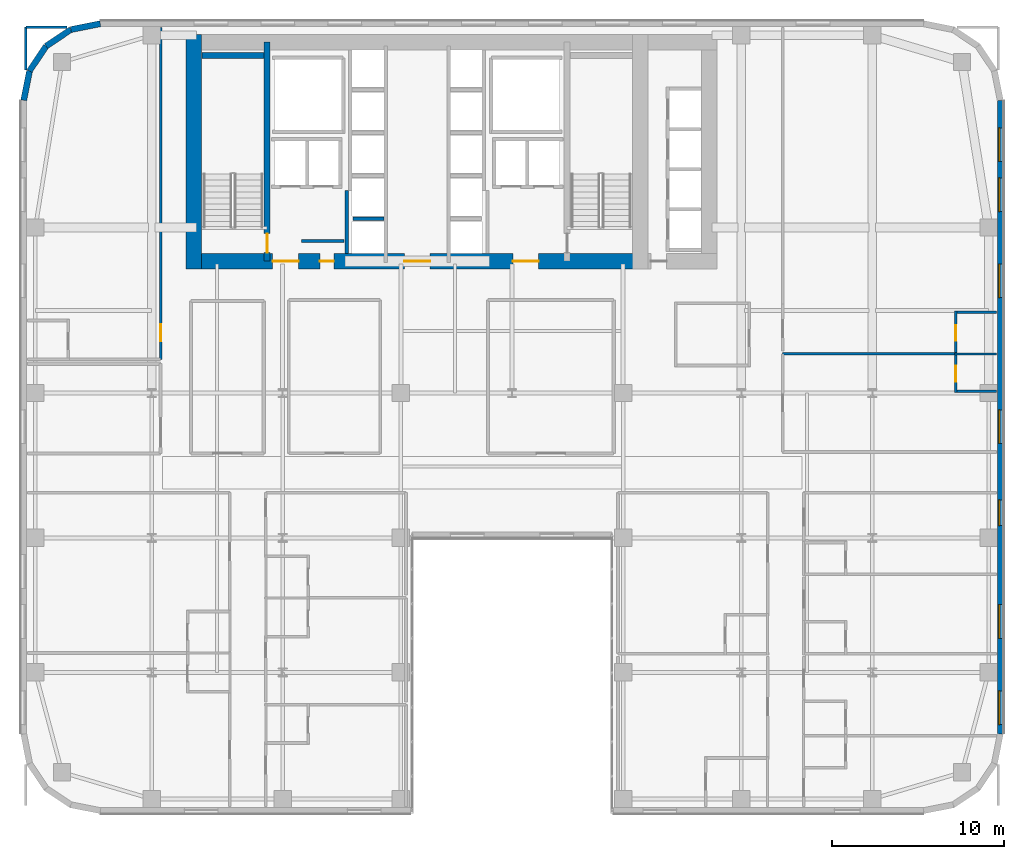
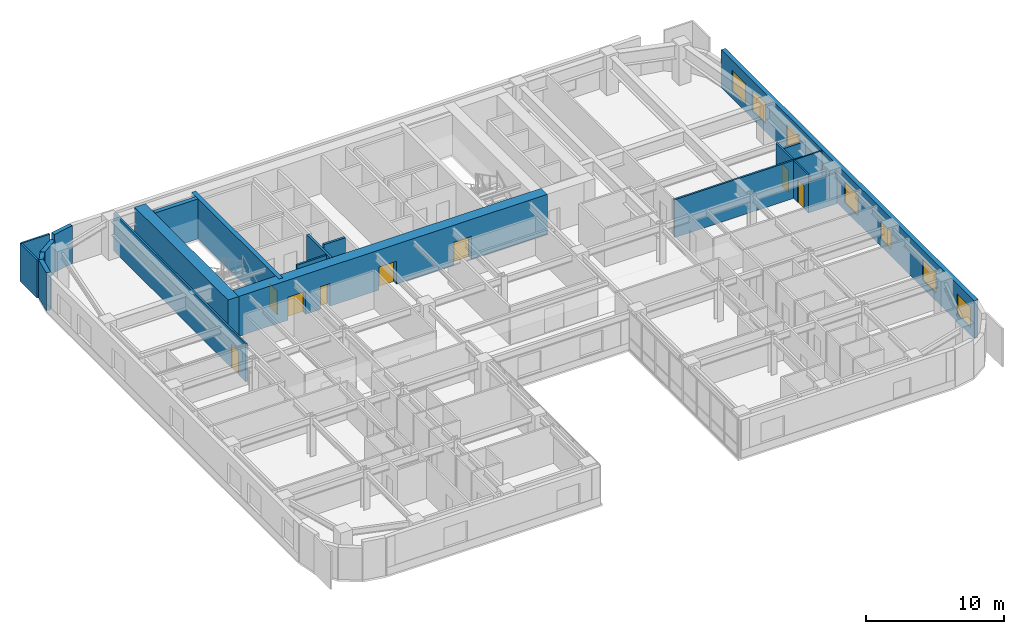
# One storey, part 17 of 24: 21 walls, 8 doors, 7 windows, 15 openings.
"""IFC4 building model written with IfcOpenShell, lengths in metres."""

from ifc_helpers import new_model, si_unit, direction, frame, frame_2d, origin, place, context, subcontext, project, spatial, rectangle, extrude, source, transform, mapped, material, layer, layer_set, type_object, type_shapes, element, fill, save


model = new_model("IFC4")

# Units and contexts
model_context = context("Model", 3, precision=1e-05, world=origin(), true_north=direction((0.0, 1.0)))
body_context = subcontext(model_context, "Body", "Model", "MODEL_VIEW")
ifc_project = project(units=[si_unit("LENGTHUNIT", "METRE"), si_unit("AREAUNIT", "SQUARE_METRE"), si_unit("VOLUMEUNIT", "CUBIC_METRE"), si_unit("PLANEANGLEUNIT", "RADIAN"), si_unit("MASSUNIT", "GRAM", prefix="KILO")], contexts=[model_context])

# Site, building, storey
site_placement = place(None, origin())
site = spatial("IfcSite", under=ifc_project, at=site_placement, CompositionType="ELEMENT")
building_placement = place(site_placement, origin())
building = spatial("IfcBuilding", under=site, at=building_placement, Name="Tolvann Quenvar Hotel", CompositionType="ELEMENT")
storey_placement = place(building_placement, frame((0.0, 0.0, 67.5)))
storey = spatial("IfcBuildingStorey", under=building, at=storey_placement, Name="L16", CompositionType="ELEMENT", Elevation=67.5)

# Wall, openings, doors
ifc_material_1 = material(Name="Concrete S80 (80 MPa)", Category="concrete")
ifc_layer_1 = layer(ifc_material_1, 0.89990234375)
ifc_layer_set_1 = layer_set([ifc_layer_1], Name="Concrete S80 (80 MPa)")
wall_type_1 = type_object("IfcWallType", Name="WALL_CORE_900", PredefinedType="SHEAR", material=ifc_layer_set_1)
wall_1_placement = place(storey_placement, frame((9.60009765625, 32.050048828125, 0.0), z_axis=(0.0, 0.0, 1.0), x_axis=(1.0, 0.0, 0.0)))
wall_1 = element("IfcWall", 1, at=wall_1_placement, inside=storey, type_object=wall_type_1, Name="Rear Core S Shear Wall (L16)", PredefinedType="SHEAR", context=body_context, shape_type="SweptSolid", body=[
    extrude(rectangle(XDim=26.7998046875, YDim=0.89990234375, at=frame_2d((13.39990234375, 0.0))), origin(), (0.0, 0.0, 1.0), 3.550048828125),
])
opening_1_placement = place(wall_1_placement, frame((6.52001953125, 0.0, 0.0), z_axis=(0.0, 0.0, 1.0), x_axis=(-1.0, 0.0, 0.0)))
opening_1 = element("IfcOpeningElement", 2, at=opening_1_placement, cuts=wall_1, Name="Opening FD-60D", PredefinedType="OPENING", context=body_context, shape_type="SweptSolid", body=[
    extrude(rectangle(XDim=1.5, YDim=2.0400390625, at=frame_2d((0.75, 1.02001953125))), frame((0.0, 0.4599609375, 0.0), z_axis=(0.0, -1.0, 0.0), x_axis=(1.0, 0.0, 0.0)), (0.0, 0.0, 1.0), 0.919921875),
])
opening_2_placement = place(wall_1_placement, frame((14.14990234375, 0.0, 0.0), z_axis=(0.0, 0.0, 1.0), x_axis=(-1.0, 0.0, 0.0)))
opening_2 = element("IfcOpeningElement", 3, at=opening_2_placement, cuts=wall_1, Name="Opening FD-60D", PredefinedType="OPENING", context=body_context, shape_type="SweptSolid", body=[
    extrude(rectangle(XDim=1.5, YDim=2.0400390625, at=frame_2d((0.75, 1.02001953125))), frame((0.0, 0.4599609375, 0.0), z_axis=(0.0, -1.0, 0.0), x_axis=(1.0, 0.0, 0.0)), (0.0, 0.0, 1.0), 0.919921875),
])
opening_3_placement = place(wall_1_placement, frame((20.449951171875, 0.0, 0.0), z_axis=(0.0, 0.0, 1.0), x_axis=(-1.0, 0.0, 0.0)))
opening_3 = element("IfcOpeningElement", 4, at=opening_3_placement, cuts=wall_1, Name="Opening FD-60D", PredefinedType="OPENING", context=body_context, shape_type="SweptSolid", body=[
    extrude(rectangle(XDim=1.5, YDim=2.0400390625, at=frame_2d((0.75, 1.02001953125))), frame((0.0, 0.4599609375, 0.0), z_axis=(0.0, -1.0, 0.0), x_axis=(1.0, 0.0, 0.0)), (0.0, 0.0, 1.0), 0.919921875),
])
opening_4_placement = place(wall_1_placement, frame((8.570068359375, 0.0, 0.0), z_axis=(0.0, 0.0, 1.0), x_axis=(-1.0, 0.0, 0.0)))
opening_4 = element("IfcOpeningElement", 5, at=opening_4_placement, cuts=wall_1, Name="Opening HD-02", PredefinedType="OPENING", context=body_context, shape_type="SweptSolid", body=[
    extrude(rectangle(XDim=0.820068359375, YDim=2.010009765625, at=frame_2d((0.41015625, 1.0048828125))), frame((0.0, 0.4599609375, 0.0), z_axis=(0.0, -1.0, 0.0), x_axis=(1.0, 0.0, 0.0)), (0.0, 0.0, 1.0), 0.919921875),
])
ifc_material_2 = material(Name="Solid-core American oak acoustic fire door leaf in steel frame", Category="steel")
door_type_1 = type_object("IfcDoorType", Name="DOOR_FIRE_LOBBY_1500", OperationType="NOTDEFINED", PredefinedType="DOOR", material=ifc_material_2)
shared_shape_1 = source(origin(), body_context, "Body", "SweptSolid", [
    extrude(rectangle(XDim=1.5, YDim=2.0400390625, at=frame_2d((0.75, 1.02001953125))), frame((0.0, 0.02490234375, 0.0), z_axis=(0.0, -1.0, 0.0), x_axis=(1.0, 0.0, 0.0)), (0.0, 0.0, 1.0), 0.050048828125),
])
type_shapes(door_type_1, [shared_shape_1])
door_1_placement = place(opening_1_placement, origin())
door_1 = element("IfcDoor", 6, at=door_1_placement, inside=storey, type_object=door_type_1, Name="Core Lobby Fire Door FFW (L16)", OperationType="DOUBLE_DOOR_SINGLE_SWING", OverallHeight=2.0400390625, OverallWidth=1.5, PredefinedType="DOOR", context=body_context, shape_type="MappedRepresentation", body=[
    mapped(shared_shape_1, transform((0.0, 0.0, 0.0), x_axis=(1.0, 0.0, 0.0), y_axis=(0.0, 1.0, 0.0), z_axis=(0.0, 0.0, 1.0), scale=1.0)),
])
fill(opening_1, door_1)
door_2_placement = place(opening_2_placement, origin())
door_2 = element("IfcDoor", 7, at=door_2_placement, inside=storey, type_object=door_type_1, Name="Core Lobby Fire Door CLOB (L16)", OperationType="DOUBLE_DOOR_SINGLE_SWING", OverallHeight=2.0400390625, OverallWidth=1.5, PredefinedType="DOOR", context=body_context, shape_type="MappedRepresentation", body=[
    mapped(shared_shape_1, transform((0.0, 0.0, 0.0), x_axis=(1.0, 0.0, 0.0), y_axis=(0.0, 1.0, 0.0), z_axis=(0.0, 0.0, 1.0), scale=1.0)),
])
fill(opening_2, door_2)
door_3_placement = place(opening_3_placement, origin())
door_3 = element("IfcDoor", 8, at=door_3_placement, inside=storey, type_object=door_type_1, Name="Core Lobby Fire Door FFE (L16)", OperationType="DOUBLE_DOOR_SINGLE_SWING", OverallHeight=2.0400390625, OverallWidth=1.5, PredefinedType="DOOR", context=body_context, shape_type="MappedRepresentation", body=[
    mapped(shared_shape_1, transform((0.0, 0.0, 0.0), x_axis=(1.0, 0.0, 0.0), y_axis=(0.0, 1.0, 0.0), z_axis=(0.0, 0.0, 1.0), scale=1.0)),
])
fill(opening_3, door_3)
ifc_material_3 = material(Name="Pressed galvanised steel fire-rated door set", Category="steel")
door_type_2 = type_object("IfcDoorType", Name="DOOR_STORE_820", OperationType="NOTDEFINED", PredefinedType="DOOR", material=ifc_material_3)
shared_shape_2 = source(origin(), body_context, "Body", "SweptSolid", [
    extrude(rectangle(XDim=0.820068359375, YDim=2.010009765625, at=frame_2d((0.41015625, 1.0048828125))), frame((0.0, 0.02490234375, 0.0), z_axis=(0.0, -1.0, 0.0), x_axis=(1.0, 0.0, 0.0)), (0.0, 0.0, 1.0), 0.050048828125),
])
type_shapes(door_type_2, [shared_shape_2])
door_4_placement = place(opening_4_placement, origin())
door_4 = element("IfcDoor", 9, at=door_4_placement, inside=storey, type_object=door_type_2, Name="Core Linen Store Fire Door (L16)", OperationType="SINGLE_SWING_RIGHT", OverallHeight=2.010009765625, OverallWidth=0.820068359375, PredefinedType="DOOR", context=body_context, shape_type="MappedRepresentation", body=[
    mapped(shared_shape_2, transform((0.0, 0.0, 0.0), x_axis=(1.0, 0.0, 0.0), y_axis=(0.0, 1.0, 0.0), z_axis=(0.0, 0.0, 1.0), scale=1.0)),
])
fill(opening_4, door_4)

# Wall
wall_2_placement = place(storey_placement, frame((10.050048828125, 31.60009765625, 0.0), z_axis=(0.0, 0.0, 1.0), x_axis=(0.0, 1.0, 0.0)))
element("IfcWall", 10, at=wall_2_placement, inside=storey, type_object=wall_type_1, Name="Rear Core W Shear Wall (L16)", PredefinedType="SHEAR", context=body_context, shape_type="SweptSolid", body=[
    extrude(rectangle(XDim=13.599853515625, YDim=0.89990234375, at=frame_2d((6.7998046875, 0.0))), origin(), (0.0, 0.0, 1.0), 3.550048828125),
])

# Wall, opening, door
ifc_material_4 = material(Name="Concrete S65 (65 MPa)", Category="concrete")
ifc_layer_2 = layer(ifc_material_4, 0.35009765625)
ifc_layer_set_2 = layer_set([ifc_layer_2], Name="Concrete S65 (65 MPa)")
wall_type_2 = type_object("IfcWallType", Name="WALL_CORE_INT_350", PredefinedType="SHEAR", material=ifc_layer_set_2)
wall_3_placement = place(storey_placement, frame((14.300048828125, 32.050048828125, 0.0), z_axis=(0.0, 0.0, 1.0), x_axis=(0.0, 1.0, 0.0)))
wall_3 = element("IfcWall", 11, at=wall_3_placement, inside=storey, type_object=wall_type_2, Name="Core Internal Web Shear Wall WEB-W (L16)", PredefinedType="SHEAR", context=body_context, shape_type="SweptSolid", body=[
    extrude(rectangle(XDim=12.699951171875, YDim=0.35009765625, at=frame_2d((6.35009765625, 0.0))), origin(), (0.0, 0.0, 1.0), 3.550048828125),
])
opening_5_placement = place(wall_3_placement, frame((0.5, 0.0, 0.0)))
opening_5 = element("IfcOpeningElement", 12, at=opening_5_placement, cuts=wall_3, Name="Opening FD-120", PredefinedType="OPENING", context=body_context, shape_type="SweptSolid", body=[
    extrude(rectangle(XDim=1.10009765625, YDim=2.1201171875, at=frame_2d((0.550048828125, 1.06005859375))), frame((0.0, 0.18505859375, 0.0), z_axis=(0.0, -1.0, 0.0), x_axis=(1.0, 0.0, 0.0)), (0.0, 0.0, 1.0), 0.3701171875),
])
door_type_3 = type_object("IfcDoorType", Name="DOOR_FIRE_STAIR_1100", OperationType="NOTDEFINED", PredefinedType="DOOR", material=ifc_material_3)
shared_shape_3 = source(origin(), body_context, "Body", "SweptSolid", [
    extrude(rectangle(XDim=1.10009765625, YDim=2.1201171875, at=frame_2d((0.550048828125, 1.06005859375))), frame((0.0, 0.02490234375, 0.0), z_axis=(0.0, -1.0, 0.0), x_axis=(1.0, 0.0, 0.0)), (0.0, 0.0, 1.0), 0.050048828125),
])
type_shapes(door_type_3, [shared_shape_3])
door_5_placement = place(opening_5_placement, origin())
door_5 = element("IfcDoor", 13, at=door_5_placement, inside=storey, type_object=door_type_3, Name="Exit Stair ST-C1 Fire Door (L16)", OperationType="SINGLE_SWING_RIGHT", OverallHeight=2.1201171875, OverallWidth=1.10009765625, PredefinedType="DOOR", context=body_context, shape_type="MappedRepresentation", body=[
    mapped(shared_shape_3, transform((0.0, 0.0, 0.0), x_axis=(1.0, 0.0, 0.0), y_axis=(0.0, 1.0, 0.0), z_axis=(0.0, 0.0, 1.0), scale=1.0)),
])
fill(opening_5, door_5)

# Wall
wall_4_placement = place(storey_placement, frame((10.52001953125, 43.97509765625, 0.0), z_axis=(0.0, 0.0, 1.0), x_axis=(1.0, 0.0, 0.0)))
element("IfcWall", 14, at=wall_4_placement, inside=storey, type_object=wall_type_2, Name="Core Stair North Closing Shear Wall STC1-N (L16)", PredefinedType="SHEAR", context=body_context, shape_type="SweptSolid", body=[
    extrude(rectangle(XDim=3.60009765625, YDim=0.35009765625, at=frame_2d((1.800048828125, 0.0))), origin(), (0.0, 0.0, 1.0), 3.550048828125),
])

# Wall, openings, windows
ifc_material_5 = material(Name="Kiln-fired red and buff architectural clay brickwork and terracotta masonry", Category="masonry")
ifc_layer_3 = layer(ifc_material_5, 0.35009765625)
ifc_layer_set_3 = layer_set([ifc_layer_3], Name="Kiln-fired red and buff architectural clay brickwork and terracotta masonry")
wall_type_3 = type_object("IfcWallType", Name="WALL_EXT_BRICK_350", PredefinedType="SOLIDWALL", material=ifc_layer_set_3)
wall_5_placement = place(storey_placement, frame((56.824951171875, 4.6171875, 0.0), z_axis=(0.0, 0.0, 1.0), x_axis=(0.0, 1.0, 0.0)))
wall_5 = element("IfcWall", 15, at=wall_5_placement, inside=storey, type_object=wall_type_3, Name="Exterior Chicago Brick Wall L16-E13", PredefinedType="SOLIDWALL", context=body_context, shape_type="SweptSolid", body=[
    extrude(rectangle(XDim=36.765625, YDim=0.35009765625, at=frame_2d((18.3828125, 0.0))), origin(), (0.0, 0.0, 1.0), 3.3701171875),
])
opening_6_placement = place(wall_5_placement, frame((0.551025390625, 0.0, 0.679931640625)))
opening_6 = element("IfcOpeningElement", 16, at=opening_6_placement, cuts=wall_5, Name="Opening W-10", PredefinedType="OPENING", context=body_context, shape_type="SweptSolid", body=[
    extrude(rectangle(XDim=1.949951171875, YDim=1.820068359375, at=frame_2d((0.97509765625, 0.91015625))), frame((0.0, 0.18505859375, 0.0), z_axis=(0.0, -1.0, 0.0), x_axis=(1.0, 0.0, 0.0)), (0.0, 0.0, 1.0), 0.3701171875),
])
opening_7_placement = place(wall_5_placement, frame((5.552978515625, 0.0, 0.679931640625)))
opening_7 = element("IfcOpeningElement", 17, at=opening_7_placement, cuts=wall_5, Name="Opening W-10", PredefinedType="OPENING", context=body_context, shape_type="SweptSolid", body=[
    extrude(rectangle(XDim=1.949951171875, YDim=1.820068359375, at=frame_2d((0.97509765625, 0.91015625))), frame((0.0, 0.18505859375, 0.0), z_axis=(0.0, -1.0, 0.0), x_axis=(1.0, 0.0, 0.0)), (0.0, 0.0, 1.0), 0.3701171875),
])
opening_8_placement = place(wall_5_placement, frame((16.85791015625, 0.0, 0.679931640625)))
opening_8 = element("IfcOpeningElement", 18, at=opening_8_placement, cuts=wall_5, Name="Opening W-10", PredefinedType="OPENING", context=body_context, shape_type="SweptSolid", body=[
    extrude(rectangle(XDim=1.949951171875, YDim=1.820068359375, at=frame_2d((0.97509765625, 0.91015625))), frame((0.0, 0.18505859375, 0.0), z_axis=(0.0, -1.0, 0.0), x_axis=(1.0, 0.0, 0.0)), (0.0, 0.0, 1.0), 0.3701171875),
])
opening_9_placement = place(wall_5_placement, frame((25.31103515625, 0.0, 0.679931640625)))
opening_9 = element("IfcOpeningElement", 19, at=opening_9_placement, cuts=wall_5, Name="Opening W-10", PredefinedType="OPENING", context=body_context, shape_type="SweptSolid", body=[
    extrude(rectangle(XDim=1.949951171875, YDim=1.820068359375, at=frame_2d((0.97509765625, 0.91015625))), frame((0.0, 0.18505859375, 0.0), z_axis=(0.0, -1.0, 0.0), x_axis=(1.0, 0.0, 0.0)), (0.0, 0.0, 1.0), 0.3701171875),
])
opening_10_placement = place(wall_5_placement, frame((30.31298828125, 0.0, 0.679931640625)))
opening_10 = element("IfcOpeningElement", 20, at=opening_10_placement, cuts=wall_5, Name="Opening W-10", PredefinedType="OPENING", context=body_context, shape_type="SweptSolid", body=[
    extrude(rectangle(XDim=1.949951171875, YDim=1.820068359375, at=frame_2d((0.97509765625, 0.91015625))), frame((0.0, 0.18505859375, 0.0), z_axis=(0.0, -1.0, 0.0), x_axis=(1.0, 0.0, 0.0)), (0.0, 0.0, 1.0), 0.3701171875),
])
opening_11_placement = place(wall_5_placement, frame((33.215087890625, 0.0, 0.679931640625)))
opening_11 = element("IfcOpeningElement", 21, at=opening_11_placement, cuts=wall_5, Name="Opening W-10", PredefinedType="OPENING", context=body_context, shape_type="SweptSolid", body=[
    extrude(rectangle(XDim=1.949951171875, YDim=1.820068359375, at=frame_2d((0.97509765625, 0.91015625))), frame((0.0, 0.18505859375, 0.0), z_axis=(0.0, -1.0, 0.0), x_axis=(1.0, 0.0, 0.0)), (0.0, 0.0, 1.0), 0.3701171875),
])
opening_12_placement = place(wall_5_placement, frame((12.093017578125, 0.0, 0.6201171875)))
opening_12 = element("IfcOpeningElement", 22, at=opening_12_placement, cuts=wall_5, Name="Opening W-08", PredefinedType="OPENING", context=body_context, shape_type="SweptSolid", body=[
    extrude(rectangle(XDim=1.5, YDim=1.550048828125, at=frame_2d((0.75, 0.77490234375))), frame((0.0, 0.18505859375, 0.0), z_axis=(0.0, -1.0, 0.0), x_axis=(1.0, 0.0, 0.0)), (0.0, 0.0, 1.0), 0.3701171875),
])
ifc_material_6 = material(Name="Thermally broken bronze-anodised aluminium frame with double low-E glazing", Category="aluminium")
window_type_1 = type_object("IfcWindowType", Name="WIN_COR_1500x2050", PartitioningType="SINGLE_PANEL", PredefinedType="WINDOW", material=ifc_material_6)
shared_shape_4 = source(origin(), body_context, "Body", "SweptSolid", [
    extrude(rectangle(XDim=1.5, YDim=1.550048828125, at=frame_2d((0.75, 0.77490234375))), frame((0.0, 0.090087890625, 0.0), z_axis=(0.0, -1.0, 0.0), x_axis=(1.0, 0.0, 0.0)), (0.0, 0.0, 1.0), 0.06005859375),
])
type_shapes(window_type_1, [shared_shape_4])
window_1_placement = place(opening_12_placement, origin())
window_1 = element("IfcWindow", 23, at=window_1_placement, inside=storey, type_object=window_type_1, Name="Chicago Window W-08 (EW-L16-E13-WD07)", OverallHeight=1.550048828125, OverallWidth=1.5, PartitioningType="SINGLE_PANEL", PredefinedType="WINDOW", context=body_context, shape_type="MappedRepresentation", body=[
    mapped(shared_shape_4, transform((0.0, 0.0, 0.0), x_axis=(1.0, 0.0, 0.0), y_axis=(0.0, 1.0, 0.0), z_axis=(0.0, 0.0, 1.0), scale=1.0)),
])
fill(opening_12, window_1)
window_type_2 = type_object("IfcWindowType", Name="WIN_CLB_1950x1850", PartitioningType="DOUBLE_PANEL_VERTICAL", PredefinedType="WINDOW", material=ifc_material_6)
shared_shape_5 = source(origin(), body_context, "Body", "SweptSolid", [
    extrude(rectangle(XDim=1.949951171875, YDim=1.820068359375, at=frame_2d((0.97509765625, 0.91015625))), frame((0.0, 0.090087890625, 0.0), z_axis=(0.0, -1.0, 0.0), x_axis=(1.0, 0.0, 0.0)), (0.0, 0.0, 1.0), 0.06005859375),
])
type_shapes(window_type_2, [shared_shape_5])
window_2_placement = place(opening_6_placement, origin())
window_2 = element("IfcWindow", 24, at=window_2_placement, inside=storey, type_object=window_type_2, Name="Chicago Window W-10 (EW-L16-E13-W01)", OverallHeight=1.820068359375, OverallWidth=1.949951171875, PartitioningType="DOUBLE_PANEL_VERTICAL", PredefinedType="WINDOW", context=body_context, shape_type="MappedRepresentation", body=[
    mapped(shared_shape_5, transform((0.0, 0.0, 0.0), x_axis=(1.0, 0.0, 0.0), y_axis=(0.0, 1.0, 0.0), z_axis=(0.0, 0.0, 1.0), scale=1.0)),
])
fill(opening_6, window_2)
window_3_placement = place(opening_7_placement, origin())
window_3 = element("IfcWindow", 25, at=window_3_placement, inside=storey, type_object=window_type_2, Name="Chicago Window W-10 (EW-L16-E13-W02)", OverallHeight=1.820068359375, OverallWidth=1.949951171875, PartitioningType="DOUBLE_PANEL_VERTICAL", PredefinedType="WINDOW", context=body_context, shape_type="MappedRepresentation", body=[
    mapped(shared_shape_5, transform((0.0, 0.0, 0.0), x_axis=(1.0, 0.0, 0.0), y_axis=(0.0, 1.0, 0.0), z_axis=(0.0, 0.0, 1.0), scale=1.0)),
])
fill(opening_7, window_3)
window_4_placement = place(opening_8_placement, origin())
window_4 = element("IfcWindow", 26, at=window_4_placement, inside=storey, type_object=window_type_2, Name="Chicago Window W-10 (EW-L16-E13-W03)", OverallHeight=1.820068359375, OverallWidth=1.949951171875, PartitioningType="DOUBLE_PANEL_VERTICAL", PredefinedType="WINDOW", context=body_context, shape_type="MappedRepresentation", body=[
    mapped(shared_shape_5, transform((0.0, 0.0, 0.0), x_axis=(1.0, 0.0, 0.0), y_axis=(0.0, 1.0, 0.0), z_axis=(0.0, 0.0, 1.0), scale=1.0)),
])
fill(opening_8, window_4)
window_5_placement = place(opening_9_placement, origin())
window_5 = element("IfcWindow", 27, at=window_5_placement, inside=storey, type_object=window_type_2, Name="Chicago Window W-10 (EW-L16-E13-W04)", OverallHeight=1.820068359375, OverallWidth=1.949951171875, PartitioningType="DOUBLE_PANEL_VERTICAL", PredefinedType="WINDOW", context=body_context, shape_type="MappedRepresentation", body=[
    mapped(shared_shape_5, transform((0.0, 0.0, 0.0), x_axis=(1.0, 0.0, 0.0), y_axis=(0.0, 1.0, 0.0), z_axis=(0.0, 0.0, 1.0), scale=1.0)),
])
fill(opening_9, window_5)
window_6_placement = place(opening_10_placement, origin())
window_6 = element("IfcWindow", 28, at=window_6_placement, inside=storey, type_object=window_type_2, Name="Chicago Window W-10 (EW-L16-E13-W05)", OverallHeight=1.820068359375, OverallWidth=1.949951171875, PartitioningType="DOUBLE_PANEL_VERTICAL", PredefinedType="WINDOW", context=body_context, shape_type="MappedRepresentation", body=[
    mapped(shared_shape_5, transform((0.0, 0.0, 0.0), x_axis=(1.0, 0.0, 0.0), y_axis=(0.0, 1.0, 0.0), z_axis=(0.0, 0.0, 1.0), scale=1.0)),
])
fill(opening_10, window_6)
window_7_placement = place(opening_11_placement, origin())
window_7 = element("IfcWindow", 29, at=window_7_placement, inside=storey, type_object=window_type_2, Name="Chicago Window W-10 (EW-L16-E13-W06)", OverallHeight=1.820068359375, OverallWidth=1.949951171875, PartitioningType="DOUBLE_PANEL_VERTICAL", PredefinedType="WINDOW", context=body_context, shape_type="MappedRepresentation", body=[
    mapped(shared_shape_5, transform((0.0, 0.0, 0.0), x_axis=(1.0, 0.0, 0.0), y_axis=(0.0, 1.0, 0.0), z_axis=(0.0, 0.0, 1.0), scale=1.0)),
])
fill(opening_11, window_7)

# Walls
wall_6_placement = place(storey_placement, frame((4.6171875, 45.824951171875, 0.0), z_axis=(0.0, 0.0, 1.0), x_axis=(-0.980800971659, -0.195011420161, 0.0)))
element("IfcWall", 30, at=wall_6_placement, inside=storey, type_object=wall_type_3, Name="Exterior Chicago Brick Wall L16-E19", PredefinedType="SOLIDWALL", context=body_context, shape_type="SweptSolid", body=[
    extrude(rectangle(XDim=1.74267578125, YDim=0.35009765625, at=frame_2d((0.871337890625, 0.0))), origin(), (0.0, 0.0, 1.0), 3.3701171875),
])
for number, where, z_axis, x_axis, name in (
    (31, (2.907958984375, 45.485107421875, 0.0), (0.0, 0.0, 1.0), (-0.831483840845, -0.55554893791, 0.0), "Exterior Chicago Brick Wall L16-E20"),
    (32, (1.473388671875, 44.526611328125, 0.0), (0.0, 0.0, 1.0), (-0.55554893791, -0.831483840845, 0.0), "Exterior Chicago Brick Wall L16-E21"),
):
    element("IfcWall", number, at=place(storey_placement, frame(where, z_axis=z_axis, x_axis=x_axis)), inside=storey, type_object=wall_type_3, Name=name, PredefinedType="SOLIDWALL", context=body_context, shape_type="SweptSolid", body=[
        extrude(rectangle(XDim=1.725341796875, YDim=0.35009765625, at=frame_2d((0.86279296875, 0.0))), origin(), (0.0, 0.0, 1.0), 2.83203125),
    ])
wall_7_placement = place(storey_placement, frame((0.514892578125, 43.092041015625, 0.0), z_axis=(0.0, 0.0, 1.0), x_axis=(-0.195011420161, -0.980800971659, 0.0)))
element("IfcWall", 33, at=wall_7_placement, inside=storey, type_object=wall_type_3, Name="Exterior Chicago Brick Wall L16-E22", PredefinedType="SOLIDWALL", context=body_context, shape_type="SweptSolid", body=[
    extrude(rectangle(XDim=1.74267578125, YDim=0.35009765625, at=frame_2d((0.871337890625, 0.0))), origin(), (0.0, 0.0, 1.0), 3.3701171875),
])
ifc_material_7 = material(Name="Moisture-resistant acoustic plumbing wall assembly")
ifc_layer_4 = layer(ifc_material_7, 0.1201171875)
ifc_layer_set_4 = layer_set([ifc_layer_4], Name="Moisture-resistant acoustic plumbing wall assembly")
wall_type_4 = type_object("IfcWallType", Name="WALL_PART_BATH_120", PredefinedType="PLUMBINGWALL", material=ifc_layer_set_4)
wall_8_placement = place(storey_placement, frame((54.179931640625, 26.669921875, 0.0), z_axis=(0.0, 0.0, 1.0), x_axis=(1.0, 0.0, 0.0)))
element("IfcWall", 34, at=wall_8_placement, inside=storey, type_object=wall_type_4, Name="Non-Rated Plumbing Partition PT-SPC-L16-ENS-NE01-N", PredefinedType="PLUMBINGWALL", context=body_context, shape_type="SweptSolid", body=[
    extrude(rectangle(XDim=2.4150390625, YDim=0.1201171875, at=frame_2d((1.20751953125, 0.0))), origin(), (0.0, 0.0, 1.0), 3.3701171875),
])

# Wall, opening, door
ifc_material_8 = material(Name="Acoustic twin-stud fire-rated gypsum plasterboard partition")
ifc_layer_5 = layer(ifc_material_8, 0.14990234375)
ifc_layer_set_5 = layer_set([ifc_layer_5], Name="Acoustic twin-stud fire-rated gypsum plasterboard partition")
wall_type_5 = type_object("IfcWallType", Name="WALL_PART_SUITE_150", PredefinedType="PARTITIONING", material=ifc_layer_set_5)
wall_9_placement = place(storey_placement, frame((54.25, 24.43798828125, 0.0), z_axis=(0.0, 0.0, 1.0), x_axis=(0.0, 1.0, 0.0)))
wall_9 = element("IfcWall", 35, at=wall_9_placement, inside=storey, type_object=wall_type_5, Name="Interior Partition PT-SPC-L16-ENS-NE01-ENT", PredefinedType="PARTITIONING", context=body_context, shape_type="SweptSolid", body=[
    extrude(rectangle(XDim=2.302001953125, YDim=0.14990234375, at=frame_2d((1.15087890625, 0.0))), origin(), (0.0, 0.0, 1.0), 3.3701171875),
])
opening_13_placement = place(wall_9_placement, frame((0.62109375, 0.0, 0.0)))
opening_13 = element("IfcOpeningElement", 36, at=opening_13_placement, cuts=wall_9, Name="Opening WD-01", PredefinedType="OPENING", context=body_context, shape_type="SweptSolid", body=[
    extrude(rectangle(XDim=0.919921875, YDim=2.010009765625, at=frame_2d((0.4599609375, 1.0048828125))), frame((0.0, 0.0849609375, 0.0), z_axis=(0.0, -1.0, 0.0), x_axis=(1.0, 0.0, 0.0)), (0.0, 0.0, 1.0), 0.169921875),
])
door_type_4 = type_object("IfcDoorType", Name="DOOR_WC_920", OperationType="NOTDEFINED", PredefinedType="DOOR", material=ifc_material_2)
shared_shape_6 = source(origin(), body_context, "Body", "SweptSolid", [
    extrude(rectangle(XDim=0.919921875, YDim=2.010009765625, at=frame_2d((0.4599609375, 1.0048828125))), frame((0.0, 0.02490234375, 0.0), z_axis=(0.0, -1.0, 0.0), x_axis=(1.0, 0.0, 0.0)), (0.0, 0.0, 1.0), 0.050048828125),
])
type_shapes(door_type_4, [shared_shape_6])
door_6_placement = place(opening_13_placement, origin())
door_6 = element("IfcDoor", 37, at=door_6_placement, inside=storey, type_object=door_type_4, Name="Interior Door DOOR-SPC-L16-ENS-NE01", OperationType="SINGLE_SWING_RIGHT", OverallHeight=2.010009765625, OverallWidth=0.919921875, PredefinedType="DOOR", context=body_context, shape_type="MappedRepresentation", body=[
    mapped(shared_shape_6, transform((0.0, 0.0, 0.0), x_axis=(1.0, 0.0, 0.0), y_axis=(0.0, 1.0, 0.0), z_axis=(0.0, 0.0, 1.0), scale=1.0)),
])
fill(opening_13, door_6)

# Wall
wall_10_placement = place(storey_placement, frame((54.179931640625, 24.508056640625, 0.0), z_axis=(0.0, 0.0, 1.0), x_axis=(1.0, 0.0, 0.0)))
element("IfcWall", 38, at=wall_10_placement, inside=storey, type_object=wall_type_5, Name="Interior Partition PT-SPC-L16-ENS-NE01-S", PredefinedType="PARTITIONING", context=body_context, shape_type="SweptSolid", body=[
    extrude(rectangle(XDim=2.4150390625, YDim=0.14990234375, at=frame_2d((1.20751953125, 0.0))), origin(), (0.0, 0.0, 1.0), 2.748046875),
])

# Wall, opening, door
wall_11_placement = place(storey_placement, frame((54.25, 26.760009765625, 0.0), z_axis=(0.0, 0.0, 1.0), x_axis=(0.0, 1.0, 0.0)))
wall_11 = element("IfcWall", 39, at=wall_11_placement, inside=storey, type_object=wall_type_5, Name="Interior Partition PT-SPC-L16-ENS-NE02-ENT", PredefinedType="PARTITIONING", context=body_context, shape_type="SweptSolid", body=[
    extrude(rectangle(XDim=2.389892578125, YDim=0.14990234375, at=frame_2d((1.19482421875, 0.0))), origin(), (0.0, 0.0, 1.0), 3.3701171875),
])
opening_14_placement = place(wall_11_placement, frame((0.6650390625, 0.0, 0.0)))
opening_14 = element("IfcOpeningElement", 40, at=opening_14_placement, cuts=wall_11, Name="Opening WD-01", PredefinedType="OPENING", context=body_context, shape_type="SweptSolid", body=[
    extrude(rectangle(XDim=0.919921875, YDim=2.010009765625, at=frame_2d((0.4599609375, 1.0048828125))), frame((0.0, 0.0849609375, 0.0), z_axis=(0.0, -1.0, 0.0), x_axis=(1.0, 0.0, 0.0)), (0.0, 0.0, 1.0), 0.169921875),
])
door_7_placement = place(opening_14_placement, origin())
door_7 = element("IfcDoor", 41, at=door_7_placement, inside=storey, type_object=door_type_4, Name="Interior Door DOOR-SPC-L16-ENS-NE02", OperationType="SINGLE_SWING_LEFT", OverallHeight=2.010009765625, OverallWidth=0.919921875, PredefinedType="DOOR", context=body_context, shape_type="MappedRepresentation", body=[
    mapped(shared_shape_6, transform((0.0, 0.0, 0.0), x_axis=(1.0, 0.0, 0.0), y_axis=(0.0, 1.0, 0.0), z_axis=(0.0, 0.0, 1.0), scale=1.0)),
])
fill(opening_14, door_7)

# Walls
wall_12_placement = place(storey_placement, frame((54.179931640625, 29.080078125, 0.0), z_axis=(0.0, 0.0, 1.0), x_axis=(1.0, 0.0, 0.0)))
element("IfcWall", 42, at=wall_12_placement, inside=storey, type_object=wall_type_5, Name="Interior Partition PT-SPC-L16-ENS-NE02-N", PredefinedType="PARTITIONING", context=body_context, shape_type="SweptSolid", body=[
    extrude(rectangle(XDim=2.4150390625, YDim=0.14990234375, at=frame_2d((1.20751953125, 0.0))), origin(), (0.0, 0.0, 1.0), 2.748046875),
])
wall_13_placement = place(storey_placement, frame((16.280029296875, 33.219970703125, 0.0), z_axis=(0.0, 0.0, 1.0), x_axis=(1.0, 0.0, 0.0)))
element("IfcWall", 43, at=wall_13_placement, inside=storey, type_object=wall_type_5, Name="Interior Partition PT-SPC-L16-CSW-1-N", PredefinedType="PARTITIONING", context=body_context, shape_type="SweptSolid", body=[
    extrude(rectangle(XDim=2.48486328125, YDim=0.14990234375, at=frame_2d((1.242431640625, 0.0))), origin(), (0.0, 0.0, 1.0), 3.3701171875),
])

# Wall, opening, door
wall_14_placement = place(storey_placement, frame((8.1201171875, 26.360107421875, 0.0), z_axis=(0.0, 0.0, 1.0), x_axis=(0.0, 1.0, 0.0)))
wall_14 = element("IfcWall", 44, at=wall_14_placement, inside=storey, type_object=wall_type_5, Name="Interior Partition PT-SPC-L16-RM-NW01-ENT", PredefinedType="PARTITIONING", context=body_context, shape_type="SweptSolid", body=[
    extrude(rectangle(XDim=19.23486328125, YDim=0.14990234375, at=frame_2d((9.617431640625, 0.0))), origin(), (0.0, 0.0, 1.0), 3.3701171875),
])
opening_15_placement = place(wall_14_placement, frame((1.054931640625, 0.0, 0.0)))
opening_15 = element("IfcOpeningElement", 45, at=opening_15_placement, cuts=wall_14, Name="Opening SD-01", PredefinedType="OPENING", context=body_context, shape_type="SweptSolid", body=[
    extrude(rectangle(XDim=0.97998046875, YDim=2.1201171875, at=frame_2d((0.489990234375, 1.06005859375))), frame((0.0, 0.0849609375, 0.0), z_axis=(0.0, -1.0, 0.0), x_axis=(1.0, 0.0, 0.0)), (0.0, 0.0, 1.0), 0.169921875),
])
door_type_5 = type_object("IfcDoorType", Name="DOOR_SUITE_980", OperationType="NOTDEFINED", PredefinedType="DOOR", material=ifc_material_2)
shared_shape_7 = source(origin(), body_context, "Body", "SweptSolid", [
    extrude(rectangle(XDim=0.97998046875, YDim=2.1201171875, at=frame_2d((0.489990234375, 1.06005859375))), frame((0.0, 0.02490234375, 0.0), z_axis=(0.0, -1.0, 0.0), x_axis=(1.0, 0.0, 0.0)), (0.0, 0.0, 1.0), 0.050048828125),
])
type_shapes(door_type_5, [shared_shape_7])
door_8_placement = place(opening_15_placement, origin())
door_8 = element("IfcDoor", 46, at=door_8_placement, inside=storey, type_object=door_type_5, Name="Interior Door DOOR-SPC-L16-RM-NW01", OperationType="SINGLE_SWING_LEFT", OverallHeight=2.1201171875, OverallWidth=0.97998046875, PredefinedType="DOOR", context=body_context, shape_type="MappedRepresentation", body=[
    mapped(shared_shape_7, transform((0.0, 0.0, 0.0), x_axis=(1.0, 0.0, 0.0), y_axis=(0.0, 1.0, 0.0), z_axis=(0.0, 0.0, 1.0), scale=1.0)),
])
fill(opening_15, door_8)

# Walls
wall_15_placement = place(storey_placement, frame((0.300048828125, 45.6201171875, 0.0), z_axis=(0.0, 0.0, 1.0), x_axis=(1.0, 0.0, 0.0)))
element("IfcWall", 47, at=wall_15_placement, inside=storey, type_object=wall_type_5, Name="Interior Partition PT-SPC-L16-RM-NW01-E5", PredefinedType="PARTITIONING", context=body_context, shape_type="SweptSolid", body=[
    extrude(rectangle(XDim=2.39599609375, YDim=0.14990234375, at=frame_2d((1.197998046875, 0.0))), origin(), (0.0, 0.0, 1.0), 3.3701171875),
])
wall_16_placement = place(storey_placement, frame((0.300048828125, 43.135009765625, 0.0), z_axis=(0.0, 0.0, 1.0), x_axis=(0.0, 1.0, 0.0)))
element("IfcWall", 48, at=wall_16_placement, inside=storey, type_object=wall_type_5, Name="Interior Partition PT-SPC-L16-RM-NW01-E6", PredefinedType="PARTITIONING", context=body_context, shape_type="SweptSolid", body=[
    extrude(rectangle(XDim=2.485107421875, YDim=0.14990234375, at=frame_2d((1.24267578125, 0.0))), origin(), (0.0, 0.0, 1.0), 3.3701171875),
])
wall_17_placement = place(storey_placement, frame((44.199951171875, 26.669921875, 0.0), z_axis=(0.0, 0.0, 1.0), x_axis=(1.0, 0.0, 0.0)))
element("IfcWall", 49, at=wall_17_placement, inside=storey, type_object=wall_type_5, Name="Interior Partition PT-SPC-L16-RM-NE01-E5", PredefinedType="PARTITIONING", context=body_context, shape_type="SweptSolid", body=[
    extrude(rectangle(XDim=10.030029296875, YDim=0.14990234375, at=frame_2d((5.01513671875, 0.0))), origin(), (0.0, 0.0, 1.0), 3.3701171875),
])
ifc_material_9 = material(Name="Concrete N40 (40 MPa)", Category="concrete")
ifc_layer_6 = layer(ifc_material_9, 0.199951171875)
ifc_layer_set_6 = layer_set([ifc_layer_6], Name="Concrete N40 (40 MPa)")
wall_type_6 = type_object("IfcWallType", Name="WALL_SHAFT_200", PredefinedType="SOLIDWALL", material=ifc_layer_set_6)
wall_18_placement = place(storey_placement, frame((18.919921875, 32.50390625, 0.0), z_axis=(0.0, 0.0, 1.0), x_axis=(0.0, 1.0, 0.0)))
element("IfcWall", 50, at=wall_18_placement, inside=storey, type_object=wall_type_6, Name="Firefighting Lobby W Inner Fire Wall (L16)", PredefinedType="SOLIDWALL", context=body_context, shape_type="SweptSolid", body=[
    extrude(rectangle(XDim=3.64599609375, YDim=0.199951171875, at=frame_2d((1.822998046875, 0.0))), origin(), (0.0, 0.0, 1.0), 3.3701171875),
])
wall_19_placement = place(storey_placement, frame((19.27001953125, 34.5, 0.0), z_axis=(0.0, 0.0, 1.0), x_axis=(1.0, 0.0, 0.0)))
element("IfcWall", 51, at=wall_19_placement, inside=storey, type_object=wall_type_6, Name="Lift Bank E21.1C1 Divider Wall 1 (L16)", PredefinedType="SOLIDWALL", context=body_context, shape_type="SweptSolid", body=[
    extrude(rectangle(XDim=1.800048828125, YDim=0.199951171875, at=frame_2d((0.89990234375, 0.0))), origin(), (0.0, 0.0, 1.0), 3.3701171875),
])

save(model, "model.ifc")
